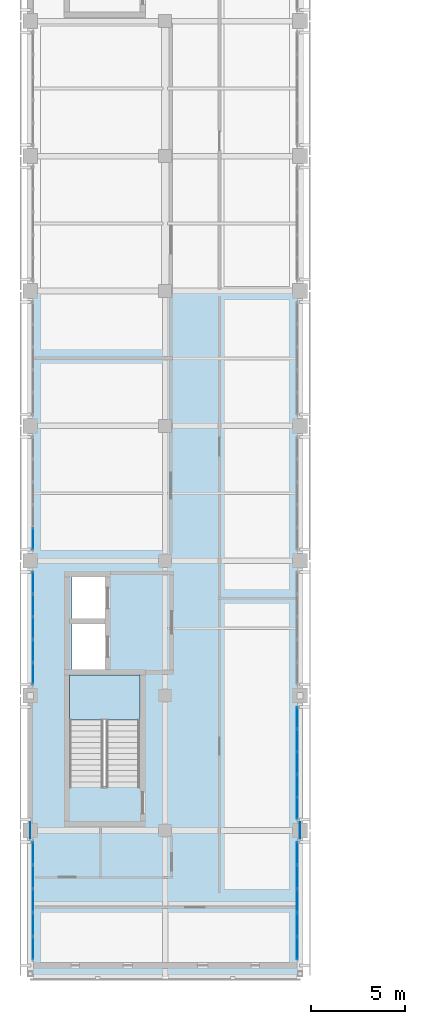
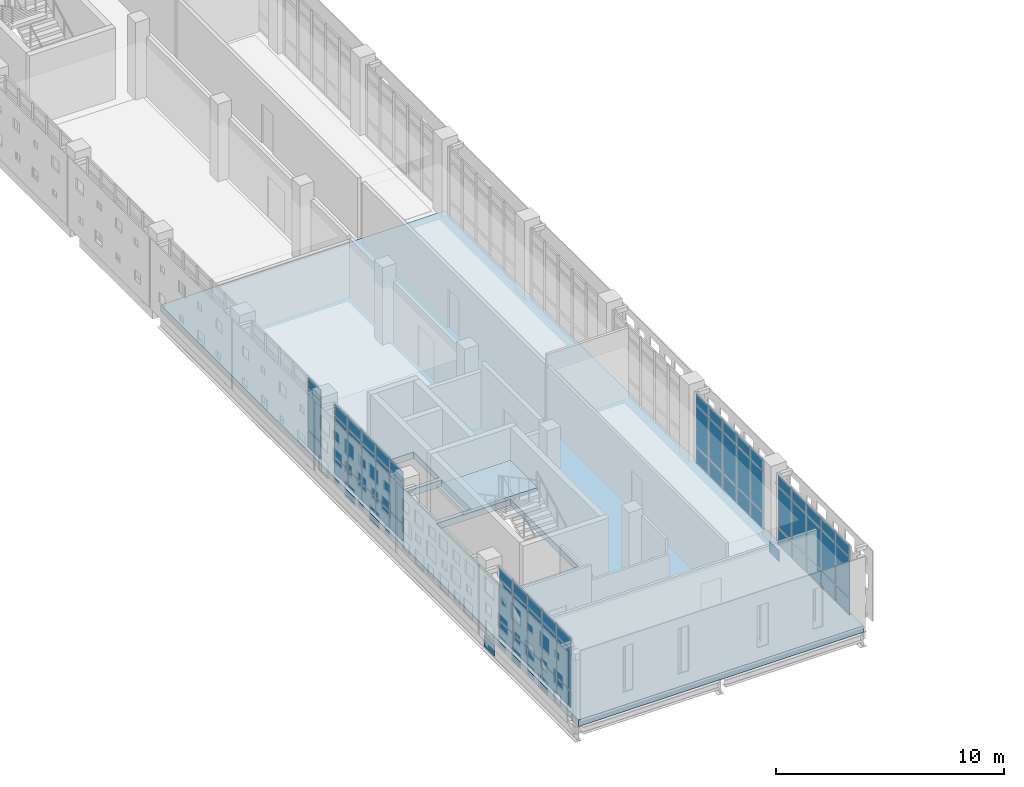
# One storey, part 14 of 33: 65 plates, 2 slabs, 6 elements without a shape of their own.
"""IFC4 building model written with IfcOpenShell, lengths in metres."""

import ifcopenshell
import ifcopenshell.guid

model = None  # the IFC model being written
_history = None  # IfcOwnerHistory: only IFC2X3 demands one
_inside = {}  # id of a spatial element -> (the spatial element, [elements in it])
_under = {}  # id of a project, library or spatial element -> (it, [spatial elements below it])
_declared = {}  # id of a project -> (the project, [libraries it declares])
_typed = {}  # id of a type object -> (the type object, [elements of that type])
_made_of = {}  # id of a material, layer set ... -> (it, [elements and type objects made of it])


def new_model(schema):
    """Start an empty IFC model of exactly this schema.

    Asked for "IFC4X3", IfcOpenShell would pick the latest addendum, in which some entities
    have other attributes; the version numbers below select the first issue.
    IFC2X3 requires an IfcOwnerHistory on every rooted entity: one is made here for all.
    """
    global model, _history
    if schema == "IFC4X3":
        model = ifcopenshell.file(schema_version=(4, 3, 0, 0))
    else:
        model = ifcopenshell.file(schema=schema)
    _inside.clear()
    _under.clear()
    _declared.clear()
    _typed.clear()
    _made_of.clear()
    _history = None
    if model.schema == "IFC2X3":
        org = make("IfcOrganization", Name="unknown")
        user = make(
            "IfcPersonAndOrganization",
            ThePerson=make("IfcPerson", FamilyName="unknown"),
            TheOrganization=org,
        )
        app = make(
            "IfcApplication",
            ApplicationDeveloper=org,
            Version="unknown",
            ApplicationFullName="unknown",
            ApplicationIdentifier="unknown",
        )
        _history = make(
            "IfcOwnerHistory",
            OwningUser=user,
            OwningApplication=app,
            ChangeAction="ADDED",
            CreationDate=0,
        )
    return model


def make(cls, **values):
    """One entity of the class cls with the attributes given. An attribute that is None is left unset."""
    return model.create_entity(
        cls, **{name: value for name, value in values.items() if value is not None}
    )


def rooted(cls, **values):
    """An entity with a GlobalId (a new one), such as an element, a storey or a relation."""
    return make(cls, GlobalId=ifcopenshell.guid.new(), OwnerHistory=_history, **values)


def si_unit(unit_type, name, prefix=None):
    """IfcSIUnit, for example si_unit("LENGTHUNIT", "METRE", prefix="MILLI")."""
    return make("IfcSIUnit", UnitType=unit_type, Prefix=prefix, Name=name)


def assignment(units):
    """IfcUnitAssignment: the units of a project."""
    return None if units is None else make("IfcUnitAssignment", Units=units)


def point(xyz):
    """IfcCartesianPoint."""
    return None if xyz is None else make("IfcCartesianPoint", Coordinates=xyz)


def direction(xyz):
    """IfcDirection."""
    return None if xyz is None else make("IfcDirection", DirectionRatios=xyz)


def frame(location, z_axis=None, x_axis=None):
    """IfcAxis2Placement3D, a coordinate frame: its origin and axes. An axis left out is left unset."""
    return make(
        "IfcAxis2Placement3D",
        Location=point(location),
        Axis=direction(z_axis),
        RefDirection=direction(x_axis),
    )


def frame_2d(location, x_axis=None):
    """IfcAxis2Placement2D, a coordinate frame in the plane: its origin and x axis."""
    return make(
        "IfcAxis2Placement2D", Location=point(location), RefDirection=direction(x_axis)
    )


def origin():
    """The frame at (0, 0, 0) with its axes left unset."""
    return frame((0.0, 0.0, 0.0))


def origin_2d():
    """The frame at (0, 0) in the plane with its x axis left unset."""
    return frame_2d((0.0, 0.0))


def place(relative_to, where):
    """IfcLocalPlacement: puts the frame where relative to a parent placement (None: the world)."""
    return make(
        "IfcLocalPlacement", PlacementRelTo=relative_to, RelativePlacement=where
    )


def context(
    kind, dimensions, precision=None, world=None, true_north=None, identifier=None
):
    """IfcGeometricRepresentationContext, for example the 3D "Model" context."""
    return make(
        "IfcGeometricRepresentationContext",
        ContextIdentifier=identifier,
        ContextType=kind,
        CoordinateSpaceDimension=dimensions,
        Precision=precision,
        WorldCoordinateSystem=world,
        TrueNorth=true_north,
    )


def subcontext(parent, identifier, kind, view, scale=None):
    """IfcGeometricRepresentationSubContext, for example "Body" below "Model"."""
    return make(
        "IfcGeometricRepresentationSubContext",
        ContextIdentifier=identifier,
        ContextType=kind,
        ParentContext=parent,
        TargetScale=scale,
        TargetView=view,
    )


def project(units=None, contexts=None):
    """IfcProject with its units and contexts."""
    return rooted(
        "IfcProject",
        Name="project",
        RepresentationContexts=contexts,
        UnitsInContext=assignment(units),
    )


def spatial(cls, under=None, at=None, **own):
    """A site, building, storey or space (cls), placed at a placement, below another one or the project."""
    s = rooted(cls, ObjectPlacement=at, **own)
    if under is not None:
        _under.setdefault(under.id(), (under, []))[1].append(s)
    return s


def polyline(points):
    """IfcPolyline through the points."""
    return make("IfcPolyline", Points=[point(p) for p in points])


def profile(cls, at=None, kind="AREA", **sizes):
    """A parametric profile (cls). Its sizes go by their IFC names, for example OverallWidth=200.0."""
    return make(cls, ProfileType=kind, Position=at, **sizes)


def rectangle(**sizes):
    """IfcRectangleProfileDef."""
    return profile("IfcRectangleProfileDef", **sizes)


def outline(outer, holes=None, kind="AREA"):
    """IfcArbitraryClosedProfileDef: a profile drawn as a closed curve; with holes, ...WithVoids."""
    if holes is None:
        return make("IfcArbitraryClosedProfileDef", ProfileType=kind, OuterCurve=outer)
    return make(
        "IfcArbitraryProfileDefWithVoids",
        ProfileType=kind,
        OuterCurve=outer,
        InnerCurves=holes,
    )


def extrude(swept, where, along, depth):
    """IfcExtrudedAreaSolid: the profile swept, set in the frame where, extruded along a direction by depth."""
    return make(
        "IfcExtrudedAreaSolid",
        SweptArea=swept,
        Position=where,
        ExtrudedDirection=direction(along),
        Depth=depth,
    )


def shape(context_of_items, identifier, shape_type, items):
    """IfcShapeRepresentation: the items that make up one representation, for example the "Body"."""
    return make(
        "IfcShapeRepresentation",
        ContextOfItems=context_of_items,
        RepresentationIdentifier=identifier,
        RepresentationType=shape_type,
        Items=items,
    )


def material(Name=None, Category=None):
    """IfcMaterial."""
    return make("IfcMaterial", Name=Name, Category=Category)


def layer(
    of_material, thickness, ventilated=None, Name=None, Category=None, Priority=None
):
    """IfcMaterialLayer: one layer of a wall or slab, of a material (None: an air gap)."""
    return make(
        "IfcMaterialLayer",
        Material=of_material,
        LayerThickness=thickness,
        IsVentilated=ventilated,
        Name=Name,
        Category=Category,
        Priority=Priority,
    )


def layer_set(layers, Name=None):
    """IfcMaterialLayerSet."""
    return make("IfcMaterialLayerSet", MaterialLayers=layers, LayerSetName=Name)


def made_of(thing, what):
    """Note that an element or type object is made of a material, layer set ...; save() writes the relation."""
    if what is not None:
        _made_of.setdefault(what.id(), (what, []))[1].append(thing)
    return thing


def type_object(cls, material=None, **own):
    """A type object (cls), such as IfcWallType, which elements share."""
    return made_of(rooted(cls, **own), material)


def element(
    cls,
    number,
    at=None,
    inside=None,
    cuts=None,
    type_object=None,
    material=None,
    context=None,
    identifier="Body",
    shape_type=None,
    held_by="IfcProductDefinitionShape",
    body=None,
    shapes=None,
    **own,
):
    """One element of the class cls, such as IfcWall. Its Tag is "e" and its number.

    at: its placement. inside: the storey or other place that contains it. cuts: it is an
    opening in that element (IfcRelVoidsElement). A single representation is given by context,
    identifier, shape_type and body (its items); several are given by shapes. held_by: the class
    of the entity that holds the representations. save() writes the other relations.
    """
    e = rooted(cls, Tag="e%d" % number, ObjectPlacement=at, **own)
    if body is not None:
        shapes = [shape(context, identifier, shape_type, body)]
    if shapes is not None:
        e.Representation = make(held_by, Representations=shapes)
    if inside is not None:
        _inside.setdefault(inside.id(), (inside, []))[1].append(e)
    if cuts is not None:
        rooted(
            "IfcRelVoidsElement", RelatingBuildingElement=cuts, RelatedOpeningElement=e
        )
    if type_object is not None:
        _typed.setdefault(type_object.id(), (type_object, []))[1].append(e)
    return made_of(e, material)


def aggregate(whole, parts):
    """IfcRelAggregates: a whole, such as a stair, and the parts it consists of."""
    return rooted("IfcRelAggregates", RelatingObject=whole, RelatedObjects=parts)


def save(model, path):
    """Write the relations noted so far, then the file.

    IfcRelAggregates (storeys below a building ...), IfcRelContainedInSpatialStructure (elements
    in a storey), IfcRelDefinesByType, IfcRelAssociatesMaterial and IfcRelDeclares: one each for
    every whole, place, type object, material and project.
    """
    for whole, parts in _under.values():
        aggregate(whole, parts)
    for where, things in _inside.values():
        rooted(
            "IfcRelContainedInSpatialStructure",
            RelatedElements=things,
            RelatingStructure=where,
        )
    for kind, things in _typed.values():
        rooted("IfcRelDefinesByType", RelatedObjects=things, RelatingType=kind)
    for what, things in _made_of.values():
        rooted("IfcRelAssociatesMaterial", RelatedObjects=things, RelatingMaterial=what)
    for by, libraries in _declared.values():
        rooted("IfcRelDeclares", RelatingContext=by, RelatedDefinitions=libraries)
    model.write(path)


model = new_model("IFC4")

# Units and contexts
model_context = context("Model", 3, precision=1e-05, world=origin(), true_north=direction((0.0, 1.0)))
body_context = subcontext(model_context, "Body", "Model", "MODEL_VIEW")
ifc_project = project(units=[si_unit("LENGTHUNIT", "METRE"), si_unit("AREAUNIT", "SQUARE_METRE"), si_unit("VOLUMEUNIT", "CUBIC_METRE"), si_unit("PLANEANGLEUNIT", "RADIAN"), si_unit("MASSUNIT", "GRAM", prefix="KILO")], contexts=[model_context])

# Site, building, storey
site_placement = place(None, origin())
site = spatial("IfcSite", under=ifc_project, at=site_placement, CompositionType="ELEMENT")
building_placement = place(site_placement, origin())
building = spatial("IfcBuilding", under=site, at=building_placement, Name="Valkovuoma Quantum and Materials Research Institute", CompositionType="ELEMENT")
storey_placement = place(building_placement, frame((0.0, 0.0, 21.43994140625)))
storey = spatial("IfcBuildingStorey", under=building, at=storey_placement, Name="L05", CompositionType="ELEMENT", Elevation=21.43994140625)

# Curtain wall, plates
ifc_material_1 = material(Name="Thermally broken aluminium and triple low-E glazing", Category="aluminium")
ifc_layer_1 = layer(ifc_material_1, 0.219970703125)
ifc_layer_set_1 = layer_set([ifc_layer_1], Name="Thermally broken aluminium and triple low-E glazing")
curtain_wall_type = type_object("IfcCurtainWallType", Name="CW-CW-01", PredefinedType="NOTDEFINED", material=ifc_layer_set_1)
curtain_wall_1_placement = place(storey_placement, origin())
curtain_wall_1 = element("IfcCurtainWall", 1, at=curtain_wall_1_placement, inside=storey, type_object=curtain_wall_type, Name="L05 curtain wall 055", PredefinedType="NOTDEFINED")
ifc_material_2 = material(Name="Triple low-E argon insulating glass", Category="glass")
ifc_layer_2 = layer(ifc_material_2, 0.035888671875)
ifc_layer_set_2 = layer_set([ifc_layer_2], Name="Triple low-E argon insulating glass")
plate_type_1 = type_object("IfcPlateType", Name="CWPanel-CWP-01", PredefinedType="CURTAIN_PANEL", material=ifc_layer_set_2)
plate_1_placement = place(storey_placement, frame((0.14990234375, 22.521728515625, 0.06494140625), z_axis=(0.0, 0.0, 1.0), x_axis=(0.0, 1.0, 0.0)))
plate_1 = element("IfcPlate", 2, at=plate_1_placement, type_object=plate_type_1, Name="CW-01 panel 1.1", PredefinedType="CURTAIN_PANEL", context=body_context, shape_type="SweptSolid", body=[
    extrude(rectangle(XDim=1.177490234375, YDim=0.035888671875, at=origin_2d()), origin(), (0.0, 0.0, 1.0), 0.8525390625),
])
plate_2_placement = place(storey_placement, frame((0.14990234375, 22.521728515625, 0.982666015625), z_axis=(0.0, 0.0, 1.0), x_axis=(0.0, 1.0, 0.0)))
plate_2 = element("IfcPlate", 3, at=plate_2_placement, type_object=plate_type_1, Name="CW-01 panel 1.2", PredefinedType="CURTAIN_PANEL", context=body_context, shape_type="SweptSolid", body=[
    extrude(rectangle(XDim=1.177490234375, YDim=0.035888671875, at=origin_2d()), origin(), (0.0, 0.0, 1.0), 2.14501953125),
])
plate_3_placement = place(storey_placement, frame((0.14990234375, 22.521728515625, 3.1923828125), z_axis=(0.0, 0.0, 1.0), x_axis=(0.0, 1.0, 0.0)))
plate_3 = element("IfcPlate", 4, at=plate_3_placement, type_object=plate_type_1, Name="CW-01 panel 1.3", PredefinedType="CURTAIN_PANEL", context=body_context, shape_type="SweptSolid", body=[
    extrude(rectangle(XDim=1.177490234375, YDim=0.035888671875, at=origin_2d()), origin(), (0.0, 0.0, 1.0), 0.552490234375),
])
plate_4_placement = place(storey_placement, frame((0.14990234375, 23.780517578125, 0.06494140625), z_axis=(0.0, 0.0, 1.0), x_axis=(0.0, 1.0, 0.0)))
plate_4 = element("IfcPlate", 5, at=plate_4_placement, type_object=plate_type_1, Name="CW-01 panel 2.1", PredefinedType="CURTAIN_PANEL", context=body_context, shape_type="SweptSolid", body=[
    extrude(rectangle(XDim=1.2099609375, YDim=0.035888671875, at=origin_2d()), origin(), (0.0, 0.0, 1.0), 0.8525390625),
])
plate_5_placement = place(storey_placement, frame((0.14990234375, 23.780517578125, 0.982666015625), z_axis=(0.0, 0.0, 1.0), x_axis=(0.0, 1.0, 0.0)))
plate_5 = element("IfcPlate", 6, at=plate_5_placement, type_object=plate_type_1, Name="CW-01 panel 2.2", PredefinedType="CURTAIN_PANEL", context=body_context, shape_type="SweptSolid", body=[
    extrude(rectangle(XDim=1.2099609375, YDim=0.035888671875, at=origin_2d()), origin(), (0.0, 0.0, 1.0), 2.14501953125),
])
plate_6_placement = place(storey_placement, frame((0.14990234375, 23.780517578125, 3.1923828125), z_axis=(0.0, 0.0, 1.0), x_axis=(0.0, 1.0, 0.0)))
plate_6 = element("IfcPlate", 7, at=plate_6_placement, type_object=plate_type_1, Name="CW-01 panel 2.3", PredefinedType="CURTAIN_PANEL", context=body_context, shape_type="SweptSolid", body=[
    extrude(rectangle(XDim=1.2099609375, YDim=0.035888671875, at=origin_2d()), origin(), (0.0, 0.0, 1.0), 0.552490234375),
])
plate_7_placement = place(storey_placement, frame((0.14990234375, 25.055419921875, 0.06494140625), z_axis=(0.0, 0.0, 1.0), x_axis=(0.0, 1.0, 0.0)))
plate_7 = element("IfcPlate", 8, at=plate_7_placement, type_object=plate_type_1, Name="CW-01 panel 3.1", PredefinedType="CURTAIN_PANEL", context=body_context, shape_type="SweptSolid", body=[
    extrude(rectangle(XDim=1.2099609375, YDim=0.035888671875, at=origin_2d()), origin(), (0.0, 0.0, 1.0), 0.8525390625),
])
plate_8_placement = place(storey_placement, frame((0.14990234375, 25.055419921875, 0.982666015625), z_axis=(0.0, 0.0, 1.0), x_axis=(0.0, 1.0, 0.0)))
plate_8 = element("IfcPlate", 9, at=plate_8_placement, type_object=plate_type_1, Name="CW-01 panel 3.2", PredefinedType="CURTAIN_PANEL", context=body_context, shape_type="SweptSolid", body=[
    extrude(rectangle(XDim=1.2099609375, YDim=0.035888671875, at=origin_2d()), origin(), (0.0, 0.0, 1.0), 2.14501953125),
])
plate_9_placement = place(storey_placement, frame((0.14990234375, 25.055419921875, 3.1923828125), z_axis=(0.0, 0.0, 1.0), x_axis=(0.0, 1.0, 0.0)))
plate_9 = element("IfcPlate", 10, at=plate_9_placement, type_object=plate_type_1, Name="CW-01 panel 3.3", PredefinedType="CURTAIN_PANEL", context=body_context, shape_type="SweptSolid", body=[
    extrude(rectangle(XDim=1.2099609375, YDim=0.035888671875, at=origin_2d()), origin(), (0.0, 0.0, 1.0), 0.552490234375),
])
plate_10_placement = place(storey_placement, frame((0.14990234375, 26.330322265625, 0.06494140625), z_axis=(0.0, 0.0, 1.0), x_axis=(0.0, 1.0, 0.0)))
plate_10 = element("IfcPlate", 11, at=plate_10_placement, type_object=plate_type_1, Name="CW-01 panel 4.1", PredefinedType="CURTAIN_PANEL", context=body_context, shape_type="SweptSolid", body=[
    extrude(rectangle(XDim=1.2099609375, YDim=0.035888671875, at=origin_2d()), origin(), (0.0, 0.0, 1.0), 0.8525390625),
])
plate_11_placement = place(storey_placement, frame((0.14990234375, 26.330322265625, 0.982666015625), z_axis=(0.0, 0.0, 1.0), x_axis=(0.0, 1.0, 0.0)))
plate_11 = element("IfcPlate", 12, at=plate_11_placement, type_object=plate_type_1, Name="CW-01 panel 4.2", PredefinedType="CURTAIN_PANEL", context=body_context, shape_type="SweptSolid", body=[
    extrude(rectangle(XDim=1.2099609375, YDim=0.035888671875, at=origin_2d()), origin(), (0.0, 0.0, 1.0), 2.14501953125),
])
plate_12_placement = place(storey_placement, frame((0.14990234375, 26.330322265625, 3.1923828125), z_axis=(0.0, 0.0, 1.0), x_axis=(0.0, 1.0, 0.0)))
plate_12 = element("IfcPlate", 13, at=plate_12_placement, type_object=plate_type_1, Name="CW-01 panel 4.3", PredefinedType="CURTAIN_PANEL", context=body_context, shape_type="SweptSolid", body=[
    extrude(rectangle(XDim=1.2099609375, YDim=0.035888671875, at=origin_2d()), origin(), (0.0, 0.0, 1.0), 0.552490234375),
])
plate_13_placement = place(storey_placement, frame((0.14990234375, 27.589111328125, 0.06494140625), z_axis=(0.0, 0.0, 1.0), x_axis=(0.0, 1.0, 0.0)))
plate_13 = element("IfcPlate", 14, at=plate_13_placement, type_object=plate_type_1, Name="CW-01 panel 5.1", PredefinedType="CURTAIN_PANEL", context=body_context, shape_type="SweptSolid", body=[
    extrude(rectangle(XDim=1.177490234375, YDim=0.035888671875, at=origin_2d()), origin(), (0.0, 0.0, 1.0), 0.8525390625),
])
plate_14_placement = place(storey_placement, frame((0.14990234375, 27.589111328125, 0.982666015625), z_axis=(0.0, 0.0, 1.0), x_axis=(0.0, 1.0, 0.0)))
plate_14 = element("IfcPlate", 15, at=plate_14_placement, type_object=plate_type_1, Name="CW-01 panel 5.2", PredefinedType="CURTAIN_PANEL", context=body_context, shape_type="SweptSolid", body=[
    extrude(rectangle(XDim=1.177490234375, YDim=0.035888671875, at=origin_2d()), origin(), (0.0, 0.0, 1.0), 2.14501953125),
])
plate_15_placement = place(storey_placement, frame((0.14990234375, 27.589111328125, 3.1923828125), z_axis=(0.0, 0.0, 1.0), x_axis=(0.0, 1.0, 0.0)))
plate_15 = element("IfcPlate", 16, at=plate_15_placement, type_object=plate_type_1, Name="CW-01 panel 5.3", PredefinedType="CURTAIN_PANEL", context=body_context, shape_type="SweptSolid", body=[
    extrude(rectangle(XDim=1.177490234375, YDim=0.035888671875, at=origin_2d()), origin(), (0.0, 0.0, 1.0), 0.552490234375),
])
aggregate(curtain_wall_1, [plate_1, plate_2, plate_3, plate_4, plate_5, plate_6, plate_7, plate_8, plate_9, plate_10, plate_11, plate_12, plate_13, plate_14, plate_15])

curtain_wall_2_placement = place(storey_placement, origin())
curtain_wall_2 = element("IfcCurtainWall", 17, at=curtain_wall_2_placement, inside=storey, type_object=curtain_wall_type, Name="L05 curtain wall 058", PredefinedType="NOTDEFINED")
plate_16_placement = place(storey_placement, frame((0.14990234375, 37.181884765625, 0.06494140625), z_axis=(0.0, 0.0, 1.0), x_axis=(0.0, 1.0, 0.0)))
plate_16 = element("IfcPlate", 18, at=plate_16_placement, type_object=plate_type_1, Name="CW-01 panel 1.1", PredefinedType="CURTAIN_PANEL", context=body_context, shape_type="SweptSolid", body=[
    extrude(rectangle(XDim=1.11962890625, YDim=0.035888671875, at=origin_2d()), origin(), (0.0, 0.0, 1.0), 0.8525390625),
])
plate_17_placement = place(storey_placement, frame((0.14990234375, 37.181884765625, 0.982666015625), z_axis=(0.0, 0.0, 1.0), x_axis=(0.0, 1.0, 0.0)))
plate_17 = element("IfcPlate", 19, at=plate_17_placement, type_object=plate_type_1, Name="CW-01 panel 1.2", PredefinedType="CURTAIN_PANEL", context=body_context, shape_type="SweptSolid", body=[
    extrude(rectangle(XDim=1.11962890625, YDim=0.035888671875, at=origin_2d()), origin(), (0.0, 0.0, 1.0), 2.14501953125),
])
plate_18_placement = place(storey_placement, frame((0.14990234375, 37.181884765625, 3.1923828125), z_axis=(0.0, 0.0, 1.0), x_axis=(0.0, 1.0, 0.0)))
plate_18 = element("IfcPlate", 20, at=plate_18_placement, type_object=plate_type_1, Name="CW-01 panel 1.3", PredefinedType="CURTAIN_PANEL", context=body_context, shape_type="SweptSolid", body=[
    extrude(rectangle(XDim=1.11962890625, YDim=0.035888671875, at=origin_2d()), origin(), (0.0, 0.0, 1.0), 0.552490234375),
])
plate_19_placement = place(storey_placement, frame((0.14990234375, 38.3828125, 0.06494140625), z_axis=(0.0, 0.0, 1.0), x_axis=(0.0, 1.0, 0.0)))
plate_19 = element("IfcPlate", 21, at=plate_19_placement, type_object=plate_type_1, Name="CW-01 panel 2.1", PredefinedType="CURTAIN_PANEL", context=body_context, shape_type="SweptSolid", body=[
    extrude(rectangle(XDim=1.152099609375, YDim=0.035888671875, at=origin_2d()), origin(), (0.0, 0.0, 1.0), 0.8525390625),
])
plate_20_placement = place(storey_placement, frame((0.14990234375, 38.3828125, 0.982666015625), z_axis=(0.0, 0.0, 1.0), x_axis=(0.0, 1.0, 0.0)))
plate_20 = element("IfcPlate", 22, at=plate_20_placement, type_object=plate_type_1, Name="CW-01 panel 2.2", PredefinedType="CURTAIN_PANEL", context=body_context, shape_type="SweptSolid", body=[
    extrude(rectangle(XDim=1.152099609375, YDim=0.035888671875, at=origin_2d()), origin(), (0.0, 0.0, 1.0), 2.14501953125),
])
plate_21_placement = place(storey_placement, frame((0.14990234375, 38.3828125, 3.1923828125), z_axis=(0.0, 0.0, 1.0), x_axis=(0.0, 1.0, 0.0)))
plate_21 = element("IfcPlate", 23, at=plate_21_placement, type_object=plate_type_1, Name="CW-01 panel 2.3", PredefinedType="CURTAIN_PANEL", context=body_context, shape_type="SweptSolid", body=[
    extrude(rectangle(XDim=1.152099609375, YDim=0.035888671875, at=origin_2d()), origin(), (0.0, 0.0, 1.0), 0.552490234375),
])
plate_22_placement = place(storey_placement, frame((0.14990234375, 39.60009765625, 0.06494140625), z_axis=(0.0, 0.0, 1.0), x_axis=(0.0, 1.0, 0.0)))
plate_22 = element("IfcPlate", 24, at=plate_22_placement, type_object=plate_type_1, Name="CW-01 panel 3.1", PredefinedType="CURTAIN_PANEL", context=body_context, shape_type="SweptSolid", body=[
    extrude(rectangle(XDim=1.152099609375, YDim=0.035888671875, at=origin_2d()), origin(), (0.0, 0.0, 1.0), 0.8525390625),
])
plate_23_placement = place(storey_placement, frame((0.14990234375, 39.60009765625, 0.982666015625), z_axis=(0.0, 0.0, 1.0), x_axis=(0.0, 1.0, 0.0)))
plate_23 = element("IfcPlate", 25, at=plate_23_placement, type_object=plate_type_1, Name="CW-01 panel 3.2", PredefinedType="CURTAIN_PANEL", context=body_context, shape_type="SweptSolid", body=[
    extrude(rectangle(XDim=1.152099609375, YDim=0.035888671875, at=origin_2d()), origin(), (0.0, 0.0, 1.0), 2.14501953125),
])
plate_24_placement = place(storey_placement, frame((0.14990234375, 39.60009765625, 3.1923828125), z_axis=(0.0, 0.0, 1.0), x_axis=(0.0, 1.0, 0.0)))
plate_24 = element("IfcPlate", 26, at=plate_24_placement, type_object=plate_type_1, Name="CW-01 panel 3.3", PredefinedType="CURTAIN_PANEL", context=body_context, shape_type="SweptSolid", body=[
    extrude(rectangle(XDim=1.152099609375, YDim=0.035888671875, at=origin_2d()), origin(), (0.0, 0.0, 1.0), 0.552490234375),
])
plate_25_placement = place(storey_placement, frame((0.14990234375, 40.817138671875, 0.06494140625), z_axis=(0.0, 0.0, 1.0), x_axis=(0.0, 1.0, 0.0)))
plate_25 = element("IfcPlate", 27, at=plate_25_placement, type_object=plate_type_1, Name="CW-01 panel 4.1", PredefinedType="CURTAIN_PANEL", context=body_context, shape_type="SweptSolid", body=[
    extrude(rectangle(XDim=1.152099609375, YDim=0.035888671875, at=origin_2d()), origin(), (0.0, 0.0, 1.0), 0.8525390625),
])
plate_26_placement = place(storey_placement, frame((0.14990234375, 40.817138671875, 0.982666015625), z_axis=(0.0, 0.0, 1.0), x_axis=(0.0, 1.0, 0.0)))
plate_26 = element("IfcPlate", 28, at=plate_26_placement, type_object=plate_type_1, Name="CW-01 panel 4.2", PredefinedType="CURTAIN_PANEL", context=body_context, shape_type="SweptSolid", body=[
    extrude(rectangle(XDim=1.152099609375, YDim=0.035888671875, at=origin_2d()), origin(), (0.0, 0.0, 1.0), 2.14501953125),
])
plate_27_placement = place(storey_placement, frame((0.14990234375, 40.817138671875, 3.1923828125), z_axis=(0.0, 0.0, 1.0), x_axis=(0.0, 1.0, 0.0)))
plate_27 = element("IfcPlate", 29, at=plate_27_placement, type_object=plate_type_1, Name="CW-01 panel 4.3", PredefinedType="CURTAIN_PANEL", context=body_context, shape_type="SweptSolid", body=[
    extrude(rectangle(XDim=1.152099609375, YDim=0.035888671875, at=origin_2d()), origin(), (0.0, 0.0, 1.0), 0.552490234375),
])
plate_28_placement = place(storey_placement, frame((0.14990234375, 42.01806640625, 0.06494140625), z_axis=(0.0, 0.0, 1.0), x_axis=(0.0, 1.0, 0.0)))
plate_28 = element("IfcPlate", 30, at=plate_28_placement, type_object=plate_type_1, Name="CW-01 panel 5.1", PredefinedType="CURTAIN_PANEL", context=body_context, shape_type="SweptSolid", body=[
    extrude(rectangle(XDim=1.11962890625, YDim=0.035888671875, at=origin_2d()), origin(), (0.0, 0.0, 1.0), 0.8525390625),
])
plate_29_placement = place(storey_placement, frame((0.14990234375, 42.01806640625, 0.982666015625), z_axis=(0.0, 0.0, 1.0), x_axis=(0.0, 1.0, 0.0)))
plate_29 = element("IfcPlate", 31, at=plate_29_placement, type_object=plate_type_1, Name="CW-01 panel 5.2", PredefinedType="CURTAIN_PANEL", context=body_context, shape_type="SweptSolid", body=[
    extrude(rectangle(XDim=1.11962890625, YDim=0.035888671875, at=origin_2d()), origin(), (0.0, 0.0, 1.0), 2.14501953125),
])
plate_30_placement = place(storey_placement, frame((0.14990234375, 42.01806640625, 3.1923828125), z_axis=(0.0, 0.0, 1.0), x_axis=(0.0, 1.0, 0.0)))
plate_30 = element("IfcPlate", 32, at=plate_30_placement, type_object=plate_type_1, Name="CW-01 panel 5.3", PredefinedType="CURTAIN_PANEL", context=body_context, shape_type="SweptSolid", body=[
    extrude(rectangle(XDim=1.11962890625, YDim=0.035888671875, at=origin_2d()), origin(), (0.0, 0.0, 1.0), 0.552490234375),
])
aggregate(curtain_wall_2, [plate_16, plate_17, plate_18, plate_19, plate_20, plate_21, plate_22, plate_23, plate_24, plate_25, plate_26, plate_27, plate_28, plate_29, plate_30])

curtain_wall_3_placement = place(storey_placement, origin())
curtain_wall_3 = element("IfcCurtainWall", 33, at=curtain_wall_3_placement, inside=storey, type_object=curtain_wall_type, Name="L05 curtain wall 060", PredefinedType="NOTDEFINED")
plate_31_placement = place(storey_placement, frame((0.14990234375, 44.3818359375, 0.06494140625), z_axis=(0.0, 0.0, 1.0), x_axis=(0.0, 1.0, 0.0)))
plate_31 = element("IfcPlate", 34, at=plate_31_placement, type_object=plate_type_1, Name="CW-01 panel 1.1", PredefinedType="CURTAIN_PANEL", context=body_context, shape_type="SweptSolid", body=[
    extrude(rectangle(XDim=1.11962890625, YDim=0.035888671875, at=origin_2d()), origin(), (0.0, 0.0, 1.0), 0.8525390625),
])
plate_32_placement = place(storey_placement, frame((0.14990234375, 44.3818359375, 0.982666015625), z_axis=(0.0, 0.0, 1.0), x_axis=(0.0, 1.0, 0.0)))
plate_32 = element("IfcPlate", 35, at=plate_32_placement, type_object=plate_type_1, Name="CW-01 panel 1.2", PredefinedType="CURTAIN_PANEL", context=body_context, shape_type="SweptSolid", body=[
    extrude(rectangle(XDim=1.11962890625, YDim=0.035888671875, at=origin_2d()), origin(), (0.0, 0.0, 1.0), 2.14501953125),
])
plate_33_placement = place(storey_placement, frame((0.14990234375, 44.3818359375, 3.1923828125), z_axis=(0.0, 0.0, 1.0), x_axis=(0.0, 1.0, 0.0)))
plate_33 = element("IfcPlate", 36, at=plate_33_placement, type_object=plate_type_1, Name="CW-01 panel 1.3", PredefinedType="CURTAIN_PANEL", context=body_context, shape_type="SweptSolid", body=[
    extrude(rectangle(XDim=1.11962890625, YDim=0.035888671875, at=origin_2d()), origin(), (0.0, 0.0, 1.0), 0.552490234375),
])
aggregate(curtain_wall_3, [plate_31, plate_32, plate_33])

curtain_wall_4_placement = place(storey_placement, origin())
curtain_wall_4 = element("IfcCurtainWall", 37, at=curtain_wall_4_placement, inside=storey, type_object=curtain_wall_type, Name="L05 curtain wall 056", PredefinedType="NOTDEFINED")
ifc_material_3 = material(Name="Triple low-E argon insulating glass", Category="glass")
ifc_layer_3 = layer(ifc_material_3, 0.0419921875)
ifc_layer_set_3 = layer_set([ifc_layer_3], Name="Triple low-E argon insulating glass")
plate_type_2 = type_object("IfcPlateType", Name="CWPanel-CWP-02", PredefinedType="CURTAIN_PANEL", material=ifc_layer_set_3)
plate_34_placement = place(storey_placement, frame((14.25, 22.521728515625, 0.06494140625), z_axis=(0.0, 0.0, 1.0), x_axis=(0.0, 1.0, 0.0)))
plate_34 = element("IfcPlate", 38, at=plate_34_placement, type_object=plate_type_2, Name="CW-01 panel 1.1", PredefinedType="CURTAIN_PANEL", context=body_context, shape_type="SweptSolid", body=[
    extrude(rectangle(XDim=1.177490234375, YDim=0.0419921875, at=origin_2d()), origin(), (0.0, 0.0, 1.0), 0.8525390625),
])
plate_35_placement = place(storey_placement, frame((14.25, 22.521728515625, 0.982666015625), z_axis=(0.0, 0.0, 1.0), x_axis=(0.0, 1.0, 0.0)))
plate_35 = element("IfcPlate", 39, at=plate_35_placement, type_object=plate_type_2, Name="CW-01 panel 1.2", PredefinedType="CURTAIN_PANEL", context=body_context, shape_type="SweptSolid", body=[
    extrude(rectangle(XDim=1.177490234375, YDim=0.0419921875, at=origin_2d()), origin(), (0.0, 0.0, 1.0), 2.14501953125),
])
plate_36_placement = place(storey_placement, frame((14.25, 22.521728515625, 3.1923828125), z_axis=(0.0, 0.0, 1.0), x_axis=(0.0, 1.0, 0.0)))
plate_36 = element("IfcPlate", 40, at=plate_36_placement, type_object=plate_type_2, Name="CW-01 panel 1.3", PredefinedType="CURTAIN_PANEL", context=body_context, shape_type="SweptSolid", body=[
    extrude(rectangle(XDim=1.177490234375, YDim=0.0419921875, at=origin_2d()), origin(), (0.0, 0.0, 1.0), 0.552490234375),
])
plate_37_placement = place(storey_placement, frame((14.25, 23.780517578125, 0.06494140625), z_axis=(0.0, 0.0, 1.0), x_axis=(0.0, 1.0, 0.0)))
plate_37 = element("IfcPlate", 41, at=plate_37_placement, type_object=plate_type_2, Name="CW-01 panel 2.1", PredefinedType="CURTAIN_PANEL", context=body_context, shape_type="SweptSolid", body=[
    extrude(rectangle(XDim=1.2099609375, YDim=0.0419921875, at=origin_2d()), origin(), (0.0, 0.0, 1.0), 0.8525390625),
])
plate_38_placement = place(storey_placement, frame((14.25, 23.780517578125, 0.982666015625), z_axis=(0.0, 0.0, 1.0), x_axis=(0.0, 1.0, 0.0)))
plate_38 = element("IfcPlate", 42, at=plate_38_placement, type_object=plate_type_2, Name="CW-01 panel 2.2", PredefinedType="CURTAIN_PANEL", context=body_context, shape_type="SweptSolid", body=[
    extrude(rectangle(XDim=1.2099609375, YDim=0.0419921875, at=origin_2d()), origin(), (0.0, 0.0, 1.0), 2.14501953125),
])
plate_39_placement = place(storey_placement, frame((14.25, 23.780517578125, 3.1923828125), z_axis=(0.0, 0.0, 1.0), x_axis=(0.0, 1.0, 0.0)))
plate_39 = element("IfcPlate", 43, at=plate_39_placement, type_object=plate_type_2, Name="CW-01 panel 2.3", PredefinedType="CURTAIN_PANEL", context=body_context, shape_type="SweptSolid", body=[
    extrude(rectangle(XDim=1.2099609375, YDim=0.0419921875, at=origin_2d()), origin(), (0.0, 0.0, 1.0), 0.552490234375),
])
plate_40_placement = place(storey_placement, frame((14.25, 25.055419921875, 0.06494140625), z_axis=(0.0, 0.0, 1.0), x_axis=(0.0, 1.0, 0.0)))
plate_40 = element("IfcPlate", 44, at=plate_40_placement, type_object=plate_type_2, Name="CW-01 panel 3.1", PredefinedType="CURTAIN_PANEL", context=body_context, shape_type="SweptSolid", body=[
    extrude(rectangle(XDim=1.2099609375, YDim=0.0419921875, at=origin_2d()), origin(), (0.0, 0.0, 1.0), 0.8525390625),
])
plate_41_placement = place(storey_placement, frame((14.25, 25.055419921875, 0.982666015625), z_axis=(0.0, 0.0, 1.0), x_axis=(0.0, 1.0, 0.0)))
plate_41 = element("IfcPlate", 45, at=plate_41_placement, type_object=plate_type_2, Name="CW-01 panel 3.2", PredefinedType="CURTAIN_PANEL", context=body_context, shape_type="SweptSolid", body=[
    extrude(rectangle(XDim=1.2099609375, YDim=0.0419921875, at=origin_2d()), origin(), (0.0, 0.0, 1.0), 2.14501953125),
])
plate_42_placement = place(storey_placement, frame((14.25, 25.055419921875, 3.1923828125), z_axis=(0.0, 0.0, 1.0), x_axis=(0.0, 1.0, 0.0)))
plate_42 = element("IfcPlate", 46, at=plate_42_placement, type_object=plate_type_2, Name="CW-01 panel 3.3", PredefinedType="CURTAIN_PANEL", context=body_context, shape_type="SweptSolid", body=[
    extrude(rectangle(XDim=1.2099609375, YDim=0.0419921875, at=origin_2d()), origin(), (0.0, 0.0, 1.0), 0.552490234375),
])
plate_43_placement = place(storey_placement, frame((14.25, 26.330322265625, 0.06494140625), z_axis=(0.0, 0.0, 1.0), x_axis=(0.0, 1.0, 0.0)))
plate_43 = element("IfcPlate", 47, at=plate_43_placement, type_object=plate_type_2, Name="CW-01 panel 4.1", PredefinedType="CURTAIN_PANEL", context=body_context, shape_type="SweptSolid", body=[
    extrude(rectangle(XDim=1.2099609375, YDim=0.0419921875, at=origin_2d()), origin(), (0.0, 0.0, 1.0), 0.8525390625),
])
plate_44_placement = place(storey_placement, frame((14.25, 26.330322265625, 0.982666015625), z_axis=(0.0, 0.0, 1.0), x_axis=(0.0, 1.0, 0.0)))
plate_44 = element("IfcPlate", 48, at=plate_44_placement, type_object=plate_type_2, Name="CW-01 panel 4.2", PredefinedType="CURTAIN_PANEL", context=body_context, shape_type="SweptSolid", body=[
    extrude(rectangle(XDim=1.2099609375, YDim=0.0419921875, at=origin_2d()), origin(), (0.0, 0.0, 1.0), 2.14501953125),
])
plate_45_placement = place(storey_placement, frame((14.25, 26.330322265625, 3.1923828125), z_axis=(0.0, 0.0, 1.0), x_axis=(0.0, 1.0, 0.0)))
plate_45 = element("IfcPlate", 49, at=plate_45_placement, type_object=plate_type_2, Name="CW-01 panel 4.3", PredefinedType="CURTAIN_PANEL", context=body_context, shape_type="SweptSolid", body=[
    extrude(rectangle(XDim=1.2099609375, YDim=0.0419921875, at=origin_2d()), origin(), (0.0, 0.0, 1.0), 0.552490234375),
])
plate_46_placement = place(storey_placement, frame((14.25, 27.589111328125, 0.06494140625), z_axis=(0.0, 0.0, 1.0), x_axis=(0.0, 1.0, 0.0)))
plate_46 = element("IfcPlate", 50, at=plate_46_placement, type_object=plate_type_2, Name="CW-01 panel 5.1", PredefinedType="CURTAIN_PANEL", context=body_context, shape_type="SweptSolid", body=[
    extrude(rectangle(XDim=1.177490234375, YDim=0.0419921875, at=origin_2d()), origin(), (0.0, 0.0, 1.0), 0.8525390625),
])
plate_47_placement = place(storey_placement, frame((14.25, 27.589111328125, 0.982666015625), z_axis=(0.0, 0.0, 1.0), x_axis=(0.0, 1.0, 0.0)))
plate_47 = element("IfcPlate", 51, at=plate_47_placement, type_object=plate_type_2, Name="CW-01 panel 5.2", PredefinedType="CURTAIN_PANEL", context=body_context, shape_type="SweptSolid", body=[
    extrude(rectangle(XDim=1.177490234375, YDim=0.0419921875, at=origin_2d()), origin(), (0.0, 0.0, 1.0), 2.14501953125),
])
plate_48_placement = place(storey_placement, frame((14.25, 27.589111328125, 3.1923828125), z_axis=(0.0, 0.0, 1.0), x_axis=(0.0, 1.0, 0.0)))
plate_48 = element("IfcPlate", 52, at=plate_48_placement, type_object=plate_type_2, Name="CW-01 panel 5.3", PredefinedType="CURTAIN_PANEL", context=body_context, shape_type="SweptSolid", body=[
    extrude(rectangle(XDim=1.177490234375, YDim=0.0419921875, at=origin_2d()), origin(), (0.0, 0.0, 1.0), 0.552490234375),
])
aggregate(curtain_wall_4, [plate_34, plate_35, plate_36, plate_37, plate_38, plate_39, plate_40, plate_41, plate_42, plate_43, plate_44, plate_45, plate_46, plate_47, plate_48])

curtain_wall_5_placement = place(storey_placement, origin())
curtain_wall_5 = element("IfcCurtainWall", 53, at=curtain_wall_5_placement, inside=storey, type_object=curtain_wall_type, Name="L05 curtain wall 057", PredefinedType="NOTDEFINED")
plate_49_placement = place(storey_placement, frame((14.25, 29.98193359375, 0.06494140625), z_axis=(0.0, 0.0, 1.0), x_axis=(0.0, 1.0, 0.0)))
plate_49 = element("IfcPlate", 54, at=plate_49_placement, type_object=plate_type_2, Name="CW-01 panel 1.1", PredefinedType="CURTAIN_PANEL", context=body_context, shape_type="SweptSolid", body=[
    extrude(rectangle(XDim=1.11962890625, YDim=0.0419921875, at=origin_2d()), origin(), (0.0, 0.0, 1.0), 0.8525390625),
])
plate_50_placement = place(storey_placement, frame((14.25, 29.98193359375, 0.982666015625), z_axis=(0.0, 0.0, 1.0), x_axis=(0.0, 1.0, 0.0)))
plate_50 = element("IfcPlate", 55, at=plate_50_placement, type_object=plate_type_2, Name="CW-01 panel 1.2", PredefinedType="CURTAIN_PANEL", context=body_context, shape_type="SweptSolid", body=[
    extrude(rectangle(XDim=1.11962890625, YDim=0.0419921875, at=origin_2d()), origin(), (0.0, 0.0, 1.0), 2.14501953125),
])
plate_51_placement = place(storey_placement, frame((14.25, 29.98193359375, 3.1923828125), z_axis=(0.0, 0.0, 1.0), x_axis=(0.0, 1.0, 0.0)))
plate_51 = element("IfcPlate", 56, at=plate_51_placement, type_object=plate_type_2, Name="CW-01 panel 1.3", PredefinedType="CURTAIN_PANEL", context=body_context, shape_type="SweptSolid", body=[
    extrude(rectangle(XDim=1.11962890625, YDim=0.0419921875, at=origin_2d()), origin(), (0.0, 0.0, 1.0), 0.552490234375),
])
plate_52_placement = place(storey_placement, frame((14.25, 31.182861328125, 0.06494140625), z_axis=(0.0, 0.0, 1.0), x_axis=(0.0, 1.0, 0.0)))
plate_52 = element("IfcPlate", 57, at=plate_52_placement, type_object=plate_type_2, Name="CW-01 panel 2.1", PredefinedType="CURTAIN_PANEL", context=body_context, shape_type="SweptSolid", body=[
    extrude(rectangle(XDim=1.152099609375, YDim=0.0419921875, at=origin_2d()), origin(), (0.0, 0.0, 1.0), 0.8525390625),
])
plate_53_placement = place(storey_placement, frame((14.25, 31.182861328125, 0.982666015625), z_axis=(0.0, 0.0, 1.0), x_axis=(0.0, 1.0, 0.0)))
plate_53 = element("IfcPlate", 58, at=plate_53_placement, type_object=plate_type_2, Name="CW-01 panel 2.2", PredefinedType="CURTAIN_PANEL", context=body_context, shape_type="SweptSolid", body=[
    extrude(rectangle(XDim=1.152099609375, YDim=0.0419921875, at=origin_2d()), origin(), (0.0, 0.0, 1.0), 2.14501953125),
])
plate_54_placement = place(storey_placement, frame((14.25, 31.182861328125, 3.1923828125), z_axis=(0.0, 0.0, 1.0), x_axis=(0.0, 1.0, 0.0)))
plate_54 = element("IfcPlate", 59, at=plate_54_placement, type_object=plate_type_2, Name="CW-01 panel 2.3", PredefinedType="CURTAIN_PANEL", context=body_context, shape_type="SweptSolid", body=[
    extrude(rectangle(XDim=1.152099609375, YDim=0.0419921875, at=origin_2d()), origin(), (0.0, 0.0, 1.0), 0.552490234375),
])
plate_55_placement = place(storey_placement, frame((14.25, 32.39990234375, 0.06494140625), z_axis=(0.0, 0.0, 1.0), x_axis=(0.0, 1.0, 0.0)))
plate_55 = element("IfcPlate", 60, at=plate_55_placement, type_object=plate_type_2, Name="CW-01 panel 3.1", PredefinedType="CURTAIN_PANEL", context=body_context, shape_type="SweptSolid", body=[
    extrude(rectangle(XDim=1.152099609375, YDim=0.0419921875, at=origin_2d()), origin(), (0.0, 0.0, 1.0), 0.8525390625),
])
plate_56_placement = place(storey_placement, frame((14.25, 32.39990234375, 0.982666015625), z_axis=(0.0, 0.0, 1.0), x_axis=(0.0, 1.0, 0.0)))
plate_56 = element("IfcPlate", 61, at=plate_56_placement, type_object=plate_type_2, Name="CW-01 panel 3.2", PredefinedType="CURTAIN_PANEL", context=body_context, shape_type="SweptSolid", body=[
    extrude(rectangle(XDim=1.152099609375, YDim=0.0419921875, at=origin_2d()), origin(), (0.0, 0.0, 1.0), 2.14501953125),
])
plate_57_placement = place(storey_placement, frame((14.25, 32.39990234375, 3.1923828125), z_axis=(0.0, 0.0, 1.0), x_axis=(0.0, 1.0, 0.0)))
plate_57 = element("IfcPlate", 62, at=plate_57_placement, type_object=plate_type_2, Name="CW-01 panel 3.3", PredefinedType="CURTAIN_PANEL", context=body_context, shape_type="SweptSolid", body=[
    extrude(rectangle(XDim=1.152099609375, YDim=0.0419921875, at=origin_2d()), origin(), (0.0, 0.0, 1.0), 0.552490234375),
])
plate_58_placement = place(storey_placement, frame((14.25, 33.6171875, 0.06494140625), z_axis=(0.0, 0.0, 1.0), x_axis=(0.0, 1.0, 0.0)))
plate_58 = element("IfcPlate", 63, at=plate_58_placement, type_object=plate_type_2, Name="CW-01 panel 4.1", PredefinedType="CURTAIN_PANEL", context=body_context, shape_type="SweptSolid", body=[
    extrude(rectangle(XDim=1.152099609375, YDim=0.0419921875, at=origin_2d()), origin(), (0.0, 0.0, 1.0), 0.8525390625),
])
plate_59_placement = place(storey_placement, frame((14.25, 33.6171875, 0.982666015625), z_axis=(0.0, 0.0, 1.0), x_axis=(0.0, 1.0, 0.0)))
plate_59 = element("IfcPlate", 64, at=plate_59_placement, type_object=plate_type_2, Name="CW-01 panel 4.2", PredefinedType="CURTAIN_PANEL", context=body_context, shape_type="SweptSolid", body=[
    extrude(rectangle(XDim=1.152099609375, YDim=0.0419921875, at=origin_2d()), origin(), (0.0, 0.0, 1.0), 2.14501953125),
])
plate_60_placement = place(storey_placement, frame((14.25, 33.6171875, 3.1923828125), z_axis=(0.0, 0.0, 1.0), x_axis=(0.0, 1.0, 0.0)))
plate_60 = element("IfcPlate", 65, at=plate_60_placement, type_object=plate_type_2, Name="CW-01 panel 4.3", PredefinedType="CURTAIN_PANEL", context=body_context, shape_type="SweptSolid", body=[
    extrude(rectangle(XDim=1.152099609375, YDim=0.0419921875, at=origin_2d()), origin(), (0.0, 0.0, 1.0), 0.552490234375),
])
plate_61_placement = place(storey_placement, frame((14.25, 34.818115234375, 0.06494140625), z_axis=(0.0, 0.0, 1.0), x_axis=(0.0, 1.0, 0.0)))
plate_61 = element("IfcPlate", 66, at=plate_61_placement, type_object=plate_type_2, Name="CW-01 panel 5.1", PredefinedType="CURTAIN_PANEL", context=body_context, shape_type="SweptSolid", body=[
    extrude(rectangle(XDim=1.11962890625, YDim=0.0419921875, at=origin_2d()), origin(), (0.0, 0.0, 1.0), 0.8525390625),
])
plate_62_placement = place(storey_placement, frame((14.25, 34.818115234375, 0.982666015625), z_axis=(0.0, 0.0, 1.0), x_axis=(0.0, 1.0, 0.0)))
plate_62 = element("IfcPlate", 67, at=plate_62_placement, type_object=plate_type_2, Name="CW-01 panel 5.2", PredefinedType="CURTAIN_PANEL", context=body_context, shape_type="SweptSolid", body=[
    extrude(rectangle(XDim=1.11962890625, YDim=0.0419921875, at=origin_2d()), origin(), (0.0, 0.0, 1.0), 2.14501953125),
])
plate_63_placement = place(storey_placement, frame((14.25, 34.818115234375, 3.1923828125), z_axis=(0.0, 0.0, 1.0), x_axis=(0.0, 1.0, 0.0)))
plate_63 = element("IfcPlate", 68, at=plate_63_placement, type_object=plate_type_2, Name="CW-01 panel 5.3", PredefinedType="CURTAIN_PANEL", context=body_context, shape_type="SweptSolid", body=[
    extrude(rectangle(XDim=1.11962890625, YDim=0.0419921875, at=origin_2d()), origin(), (0.0, 0.0, 1.0), 0.552490234375),
])
aggregate(curtain_wall_5, [plate_49, plate_50, plate_51, plate_52, plate_53, plate_54, plate_55, plate_56, plate_57, plate_58, plate_59, plate_60, plate_61, plate_62, plate_63])

# Plates
ifc_material_4 = material(Name="Steel S355J2", Category="steel")
plate_type_3 = type_object("IfcPlateType", Name="Plate-PL-GUS3", PredefinedType="USERDEFINED", material=ifc_material_4)
for number, where, z_axis, x_axis, name in (
    (69, (0.0, 28.800048828125, -1.050048828125), (0.0, 0.0, 1.0), (0.0, 1.0, 0.0), "L05 cantilever gusset plate 0"),
    (70, (14.39990234375, 28.800048828125, -1.050048828125), (0.0, 0.0, 1.0), (0.0, 1.0, 0.0), "L05 cantilever gusset plate 1"),
):
    element("IfcPlate", number, at=place(storey_placement, frame(where, z_axis=z_axis, x_axis=x_axis)), inside=storey, type_object=plate_type_3, Name=name, ObjectType="GUSSET_PLATE", PredefinedType="USERDEFINED", context=body_context, shape_type="SweptSolid", body=[
        extrude(rectangle(XDim=0.89990234375, YDim=0.02490234375, at=origin_2d()), origin(), (0.0, 0.0, 1.0), 0.60009765625),
    ])

# Slab
ifc_material_5 = material(Name="Concrete C40/50", Category="concrete")
ifc_layer_4 = layer(ifc_material_5, 0.35009765625)
ifc_layer_set_4 = layer_set([ifc_layer_4], Name="Concrete C40/50")
slab_type_1 = type_object("IfcSlabType", Name="Slab-SL-FL350", PredefinedType="FLOOR", material=ifc_layer_set_4)
slab_1_placement = place(storey_placement, frame((0.0, 0.0, -0.349853515625)))
element("IfcSlab", 71, at=slab_1_placement, inside=storey, type_object=slab_type_1, Name="L05 vol5_drylab structural slab 1", PredefinedType="FLOOR", context=body_context, shape_type="SweptSolid", body=[
    extrude(outline(polyline([(0.0, 21.0), (14.39990234375, 21.0), (14.39990234375, 57.60009765625), (0.0, 57.60009765625), (0.0, 21.0)]), holes=[polyline([(2.10009765625, 31.159912109375), (5.85009765625, 31.159912109375), (5.85009765625, 37.10009765625), (2.10009765625, 37.10009765625), (2.10009765625, 31.159912109375)]), polyline([(2.219970703125, 37.320068359375), (3.97998046875, 37.320068359375), (3.97998046875, 39.8798828125), (2.219970703125, 39.8798828125), (2.219970703125, 37.320068359375)]), polyline([(2.219970703125, 40.070068359375), (3.97998046875, 40.070068359375), (3.97998046875, 42.330078125), (2.219970703125, 42.330078125), (2.219970703125, 40.070068359375)])]), origin(), (0.0, 0.0, 1.0), 0.349853515625),
])

# Stair, slab
ifc_material_6 = material(Name="Concrete C40/50", Category="concrete")
stair_type = type_object("IfcStairType", Name="Stair-ST-COR", PredefinedType="HALF_TURN_STAIR", material=ifc_material_6)
stair_placement = place(storey_placement, origin())
stair = element("IfcStair", 72, at=stair_placement, inside=storey, type_object=stair_type, Name="L05 Exit Stair ST-1", PredefinedType="HALF_TURN_STAIR")
ifc_material_7 = material(Name="Concrete C40/50", Category="concrete")
ifc_layer_5 = layer(ifc_material_7, 0.199951171875)
ifc_layer_set_5 = layer_set([ifc_layer_5], Name="Concrete C40/50")
slab_type_2 = type_object("IfcSlabType", Name="Slab-SL-LND200", PredefinedType="LANDING", material=ifc_layer_set_5)
slab_2_placement = place(storey_placement, frame((0.0, 0.0, 1.880126953125)))
slab_2 = element("IfcSlab", 73, at=slab_2_placement, type_object=slab_type_2, Name="ST-1 landing 1", PredefinedType="LANDING", context=body_context, shape_type="SweptSolid", body=[
    extrude(outline(polyline([(5.85009765625, 34.699951171875), (5.85009765625, 37.10009765625), (2.10009765625, 37.10009765625), (2.10009765625, 34.699951171875), (5.85009765625, 34.699951171875)])), origin(), (0.0, 0.0, 1.0), 0.199951171875),
])
aggregate(stair, [slab_2])

save(model, "model.ifc")
